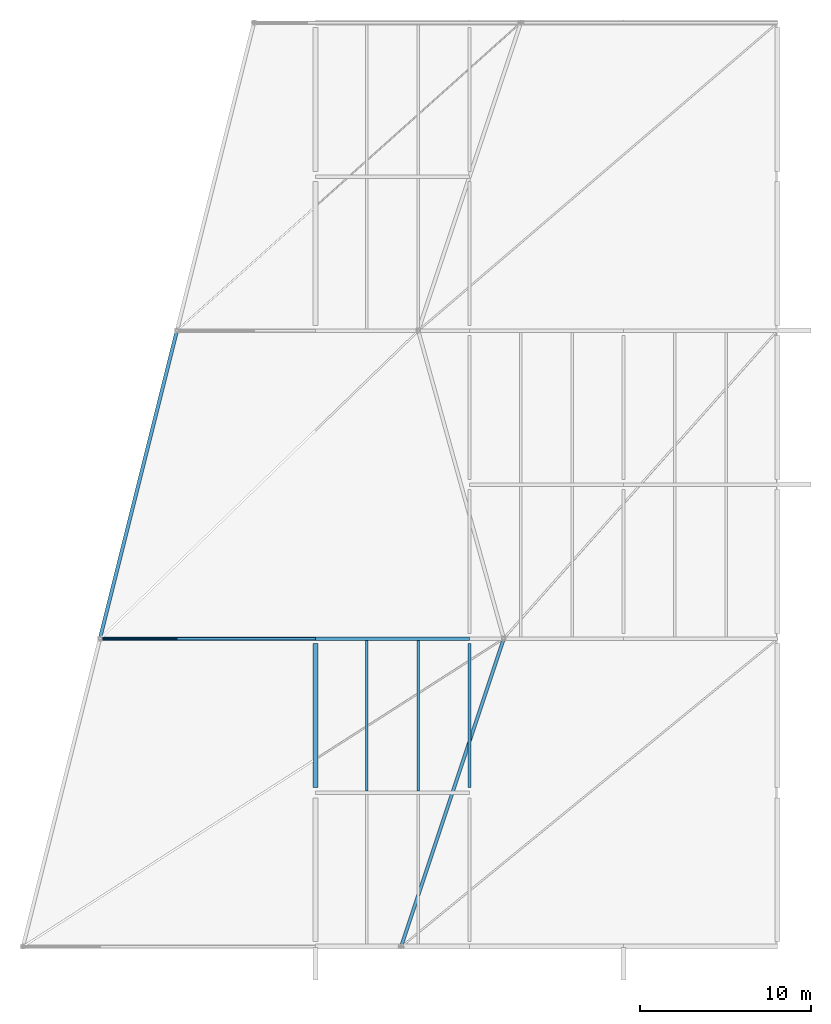
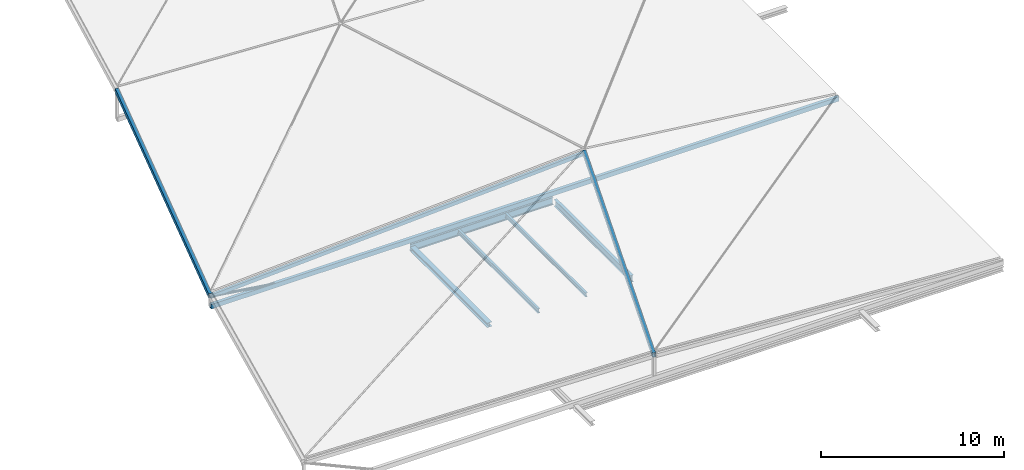
# One storey, part 4 of 18: 5 beams, 5 members.
"""IFC4 building model written with IfcOpenShell, lengths in metres."""

from ifc_helpers import new_model, si_unit, direction, frame, origin, origin_2d, place, context, subcontext, project, spatial, hollow_rectangle, hollow_circle, i_section, extrude, material, material_profile, profile_set, type_object, element, save


model = new_model("IFC4")

# Units and contexts
model_context = context("Model", 3, precision=1e-05, world=origin(), true_north=direction((0.0, 1.0)))
body_context = subcontext(model_context, "Body", "Model", "MODEL_VIEW")
ifc_project = project(units=[si_unit("LENGTHUNIT", "METRE"), si_unit("AREAUNIT", "SQUARE_METRE"), si_unit("VOLUMEUNIT", "CUBIC_METRE"), si_unit("PLANEANGLEUNIT", "RADIAN"), si_unit("MASSUNIT", "GRAM", prefix="KILO")], contexts=[model_context])

# Site, building, storey
site_placement = place(None, origin())
site = spatial("IfcSite", under=ifc_project, at=site_placement, CompositionType="ELEMENT")
building_placement = place(site_placement, origin())
building = spatial("IfcBuilding", under=site, at=building_placement, Name="Deido Ridge Mobility Hub", CompositionType="ELEMENT")
storey_placement = place(building_placement, frame((0.0, 0.0, 29.39990234375)))
storey = spatial("IfcBuildingStorey", under=building, at=storey_placement, Name="RF", CompositionType="ELEMENT", Elevation=29.39990234375)

# Beams
ifc_material_1 = material(Name="Steel S355J2 EN 10025-2", Category="steel")
ifc_material_profile_1 = material_profile(ifc_material_1, i_section(OverallWidth=0.18994140625, OverallDepth=0.449951171875, WebThickness=0.009521484375, FlangeThickness=0.0146484375, FilletRadius=0.02099609375, at=origin_2d()), Name="IPE 450")
ifc_profile_set_1 = profile_set([ifc_material_profile_1], Name="Steel S355J2 EN 10025-2")
beam_type_1 = type_object("IfcBeamType", Name="BM-IPE450", PredefinedType="BEAM", material=ifc_profile_set_1)
beam_1_placement = place(storey_placement, frame((162.0, 9.300048828125, -0.46484375), z_axis=(0.0, 1.0, 0.0), x_axis=(-1.0, 0.0, 0.0)))
element("IfcBeam", 1, at=beam_1_placement, inside=storey, type_object=beam_type_1, Name="Floor beam B4", PredefinedType="BEAM", context=body_context, shape_type="SweptSolid", body=[
    extrude(i_section(OverallWidth=0.18994140625, OverallDepth=0.449951171875, WebThickness=0.009521484375, FlangeThickness=0.0146484375, FilletRadius=0.02099609375, at=origin_2d()), origin(), (0.0, 0.0, 1.0), 8.39990234375),
])
ifc_material_profile_2 = material_profile(ifc_material_1, i_section(OverallWidth=0.199951171875, OverallDepth=0.5, WebThickness=0.01025390625, FlangeThickness=0.01611328125, FilletRadius=0.02099609375, at=origin_2d()), Name="IPE 500")
ifc_profile_set_2 = profile_set([ifc_material_profile_2], Name="Steel S355J2 EN 10025-2")
beam_type_2 = type_object("IfcBeamType", Name="BM-IPE500", PredefinedType="BEAM", material=ifc_profile_set_2)
beam_2_placement = place(storey_placement, frame((153.0078125, 18.0, -0.489990234375), z_axis=(1.0, 0.0, 0.0), x_axis=(0.0, 1.0, 0.0)))
element("IfcBeam", 2, at=beam_2_placement, inside=storey, type_object=beam_type_2, Name="Floor beam B3", PredefinedType="BEAM", context=body_context, shape_type="SweptSolid", body=[
    extrude(i_section(OverallWidth=0.199951171875, OverallDepth=0.5, WebThickness=0.01025390625, FlangeThickness=0.01611328125, FilletRadius=0.02099609375, at=origin_2d()), origin(), (0.0, 0.0, 1.0), 8.984375),
])
ifc_material_profile_3 = material_profile(ifc_material_1, i_section(OverallWidth=0.135009765625, OverallDepth=0.27001953125, WebThickness=0.006591796875, FlangeThickness=0.01025390625, FilletRadius=0.014892578125, at=origin_2d()), Name="IPE 270")
ifc_profile_set_3 = profile_set([ifc_material_profile_3], Name="Steel S355J2 EN 10025-2")
beam_type_3 = type_object("IfcBeamType", Name="JST-IPE270", PredefinedType="JOIST", material=ifc_profile_set_3)
beam_3_placement = place(storey_placement, frame((159.0, 9.10009765625, -0.375), z_axis=(0.0, 1.0, 0.0), x_axis=(-1.0, 0.0, 0.0)))
element("IfcBeam", 3, at=beam_3_placement, inside=storey, type_object=beam_type_3, Name="Composite joist J4", PredefinedType="JOIST", context=body_context, shape_type="SweptSolid", body=[
    extrude(i_section(OverallWidth=0.135009765625, OverallDepth=0.27001953125, WebThickness=0.006591796875, FlangeThickness=0.01025390625, FilletRadius=0.014892578125, at=origin_2d()), origin(), (0.0, 0.0, 1.0), 8.7998046875),
])
ifc_material_profile_4 = material_profile(ifc_material_1, i_section(OverallWidth=0.14990234375, OverallDepth=0.300048828125, WebThickness=0.007080078125, FlangeThickness=0.0107421875, FilletRadius=0.014892578125, at=origin_2d()), Name="IPE 300")
ifc_profile_set_4 = profile_set([ifc_material_profile_4], Name="Steel S355J2 EN 10025-2")
beam_type_4 = type_object("IfcBeamType", Name="JST-IPE300", PredefinedType="JOIST", material=ifc_profile_set_4)
beam_4_placement = place(storey_placement, frame((156.0, 9.10009765625, -0.389892578125), z_axis=(0.0, 1.0, 0.0), x_axis=(-1.0, 0.0, 0.0)))
element("IfcBeam", 4, at=beam_4_placement, inside=storey, type_object=beam_type_4, Name="Composite joist J3", PredefinedType="JOIST", context=body_context, shape_type="SweptSolid", body=[
    extrude(i_section(OverallWidth=0.14990234375, OverallDepth=0.300048828125, WebThickness=0.007080078125, FlangeThickness=0.0107421875, FilletRadius=0.014892578125, at=origin_2d()), origin(), (0.0, 0.0, 1.0), 8.7998046875),
])

# Members
ifc_material_2 = material(Name="Steel S355J2H EN 10210-1", Category="steel")
ifc_material_profile_5 = material_profile(ifc_material_2, hollow_rectangle(XDim=0.199951171875, YDim=0.300048828125, WallThickness=0.012451171875, at=origin_2d()), Name="RHS 300x200x12.5")
ifc_profile_set_5 = profile_set([ifc_material_profile_5], Name="Steel S355J2H EN 10210-1")
member_type_1 = type_object("IfcMemberType", Name="MEM-CHD-RHS300", PredefinedType="CHORD", material=ifc_profile_set_5)
member_1_placement = place(storey_placement, frame((140.39990234375, 18.0, 0.0), z_axis=(1.0, 0.0, 0.0), x_axis=(0.0, 1.0, 0.0)))
element("IfcMember", 5, at=member_1_placement, inside=storey, type_object=member_type_1, Name="Crystal roof tie chord CH1", PredefinedType="CHORD", context=body_context, shape_type="SweptSolid", body=[
    extrude(hollow_rectangle(XDim=0.199951171875, YDim=0.300048828125, WallThickness=0.012451171875, at=origin_2d()), origin(), (0.0, 0.0, 1.0), 39.60009765625),
])
member_2_placement = place(storey_placement, frame((158.0, 0.0, 1.489990234375), z_axis=(0.316118021864, 0.948354065593, 0.026343168489), x_axis=(-0.948683298051, 0.316227766017, 0.0)))
element("IfcMember", 6, at=member_2_placement, inside=storey, type_object=member_type_1, Name="Crystal longitudinal ridge chord CH1", PredefinedType="CHORD", context=body_context, shape_type="SweptSolid", body=[
    extrude(hollow_rectangle(XDim=0.199951171875, YDim=0.300048828125, WallThickness=0.012451171875, at=origin_2d()), origin(), (0.0, 0.0, 1.0), 18.980224609375),
])
member_3_placement = place(storey_placement, frame((140.39990234375, 18.0, 0.690185546875), z_axis=(0.242029987896, 0.968119951585, 0.064538703912), x_axis=(-0.970142500145, 0.242535625036, 0.0)))
element("IfcMember", 7, at=member_3_placement, inside=storey, type_object=member_type_1, Name="Crystal longitudinal ridge chord CH1", PredefinedType="CHORD", context=body_context, shape_type="SweptSolid", body=[
    extrude(hollow_rectangle(XDim=0.199951171875, YDim=0.300048828125, WallThickness=0.012451171875, at=origin_2d()), origin(), (0.0, 0.0, 1.0), 18.5927734375),
])
ifc_material_profile_6 = material_profile(ifc_material_2, hollow_rectangle(XDim=0.14990234375, YDim=0.25, WallThickness=0.010009765625, at=origin_2d()), Name="RHS 250x150x10")
ifc_profile_set_6 = profile_set([ifc_material_profile_6], Name="Steel S355J2H EN 10210-1")
member_type_2 = type_object("IfcMemberType", Name="MEM-RAF-RHS250", PredefinedType="RAFTER", material=ifc_profile_set_6)
member_4_placement = place(storey_placement, frame((140.39990234375, 18.0, 0.650146484375), z_axis=(0.998486178412, 0.0, 0.05500319554), x_axis=(0.0, 1.0, 0.0)))
element("IfcMember", 8, at=member_4_placement, inside=storey, type_object=member_type_2, Name="Crystal roof folded rafter RF1", PredefinedType="RAFTER", context=body_context, shape_type="SweptSolid", body=[
    extrude(hollow_rectangle(XDim=0.14990234375, YDim=0.25, WallThickness=0.010009765625, at=origin_2d()), origin(), (0.0, 0.0, 1.0), 23.635986328125),
])
ifc_material_profile_7 = material_profile(ifc_material_2, hollow_circle(Radius=0.084228515625, WallThickness=0.008056640625, at=origin_2d()), Name="CHS 168.3x8")
ifc_profile_set_7 = profile_set([ifc_material_profile_7], Name="Steel S355J2H EN 10210-1")
member_type_3 = type_object("IfcMemberType", Name="MEM-STR-CHS168", PredefinedType="STRUT", material=ifc_profile_set_7)
member_5_placement = place(storey_placement, frame((144.89990234375, 18.0, 0.0), z_axis=(-0.989723797802, 0.0, 0.142992321698), x_axis=(0.0, -1.0, 0.0)))
element("IfcMember", 9, at=member_5_placement, inside=storey, type_object=member_type_3, Name="Crystal diagonal web strut SR1", PredefinedType="STRUT", context=body_context, shape_type="SweptSolid", body=[
    extrude(hollow_circle(Radius=0.084228515625, WallThickness=0.008056640625, at=origin_2d()), origin(), (0.0, 0.0, 1.0), 4.546630859375),
])

# Beam
ifc_material_profile_8 = material_profile(ifc_material_1, i_section(OverallWidth=0.300048828125, OverallDepth=0.300048828125, WebThickness=0.010986328125, FlangeThickness=0.01904296875, FilletRadius=0.027099609375, at=origin_2d()), Name="HEB 300")
ifc_profile_set_8 = profile_set([ifc_material_profile_8], Name="Steel S355J2 EN 10025-2")
beam_type_5 = type_object("IfcBeamType", Name="SPD-HEB300", PredefinedType="SPANDREL", material=ifc_profile_set_8)
beam_5_placement = place(storey_placement, frame((153.0, 9.300048828125, -0.389892578125), z_axis=(0.0, 1.0, 0.0), x_axis=(-1.0, 0.0, 0.0)))
element("IfcBeam", 10, at=beam_5_placement, inside=storey, type_object=beam_type_5, Name="Floor beam SP1", PredefinedType="SPANDREL", context=body_context, shape_type="SweptSolid", body=[
    extrude(i_section(OverallWidth=0.300048828125, OverallDepth=0.300048828125, WebThickness=0.010986328125, FlangeThickness=0.01904296875, FilletRadius=0.027099609375, at=origin_2d()), origin(), (0.0, 0.0, 1.0), 8.39990234375),
])

save(model, "model.ifc")
